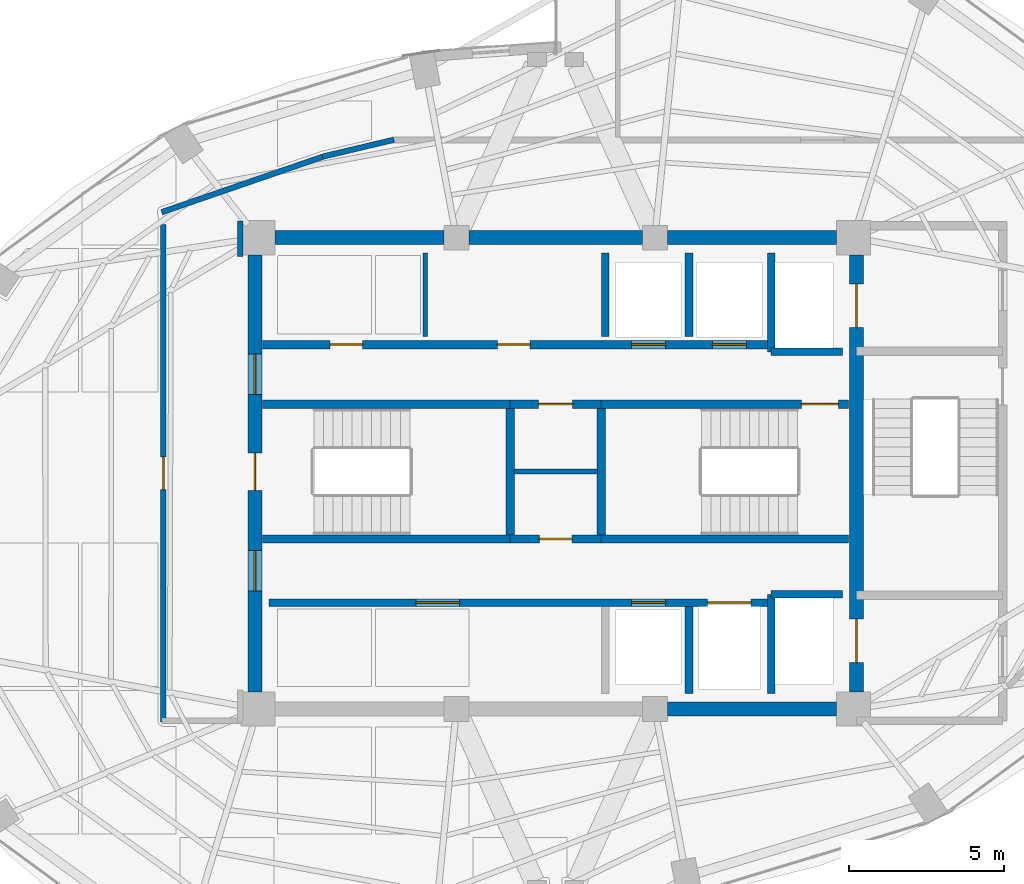
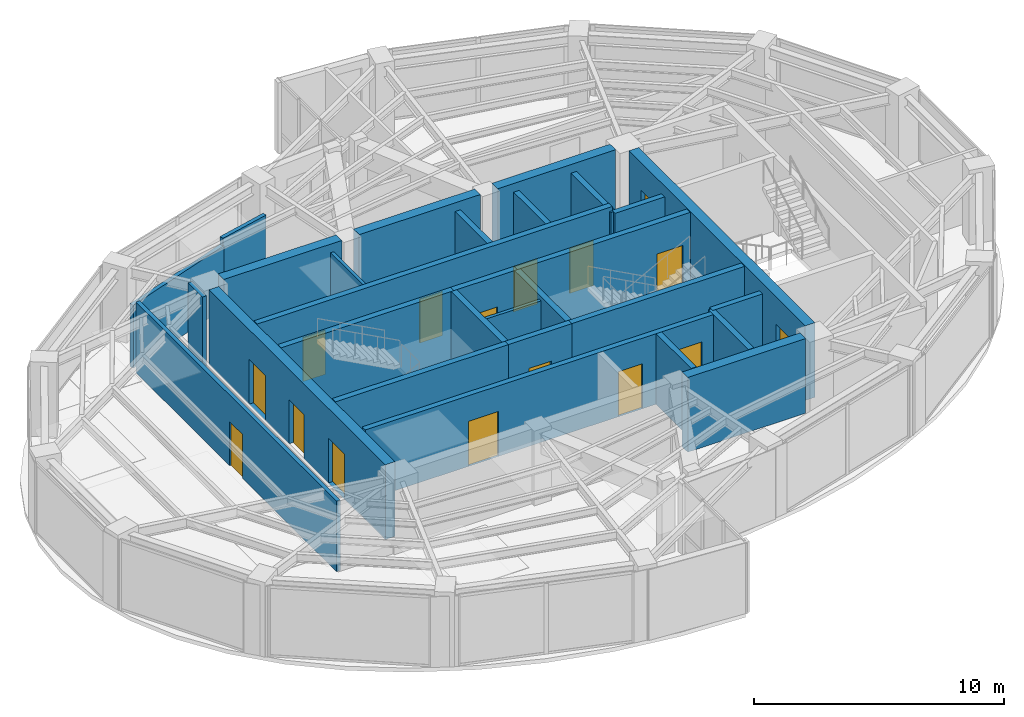
# One storey, part 19 of 22: 29 walls, 16 doors, 16 openings.
"""IFC4 building model written with IfcOpenShell, lengths in metres."""

from ifc_helpers import new_model, si_unit, direction, frame, frame_2d, origin, place, context, subcontext, project, spatial, rectangle, extrude, material, layer, layer_set, type_object, element, fill, save


model = new_model("IFC4")

# Units and contexts
model_context = context("Model", 3, precision=1e-05, world=origin(), true_north=direction((0.0, 1.0)))
body_context = subcontext(model_context, "Body", "Model", "MODEL_VIEW")
ifc_project = project(units=[si_unit("LENGTHUNIT", "METRE"), si_unit("AREAUNIT", "SQUARE_METRE"), si_unit("VOLUMEUNIT", "CUBIC_METRE"), si_unit("PLANEANGLEUNIT", "RADIAN"), si_unit("MASSUNIT", "GRAM", prefix="KILO")], contexts=[model_context])

# Site, building, storey
site_placement = place(None, origin())
site = spatial("IfcSite", under=ifc_project, at=site_placement, CompositionType="ELEMENT")
building_placement = place(site_placement, origin())
building = spatial("IfcBuilding", under=site, at=building_placement, Name="Lazwardi Medical Tower", CompositionType="ELEMENT")
storey_placement = place(building_placement, frame((0.0, 0.0, 251.3759765625)))
storey = spatial("IfcBuildingStorey", under=building, at=storey_placement, Name="L65", CompositionType="ELEMENT", Elevation=251.3759765625)

# Walls
ifc_material_1 = material(Name="Fire-rated gypsum board on steel stud", Category="steel")
ifc_layer_1 = layer(ifc_material_1, 0.179931640625)
ifc_layer_set_1 = layer_set([ifc_layer_1], Name="Fire-rated gypsum board on steel stud")
wall_type_1 = type_object("IfcWallType", Name="WL-COR-180", PredefinedType="PARTITIONING", material=ifc_layer_set_1)
wall_1_placement = place(storey_placement, frame((23.294189453125, 36.422119140625, 0.0), z_axis=(0.0, 0.0, 1.0), x_axis=(0.945493277461, 0.325641616316, 0.0)))
element("IfcWall", 1, at=wall_1_placement, inside=storey, type_object=wall_type_1, Name="L65 Corridor partition 1", PredefinedType="PARTITIONING", context=body_context, shape_type="SweptSolid", body=[
    extrude(rectangle(XDim=5.5615234375, YDim=0.179931640625, at=frame_2d((2.78076171875, 0.0))), origin(), (0.0, 0.0, 1.0), 3.072998046875),
])
wall_2_placement = place(storey_placement, frame((28.475830078125, 38.2109375, 0.0), z_axis=(0.0, 0.0, 1.0), x_axis=(0.973030562203, 0.230676234189, 0.0)))
element("IfcWall", 2, at=wall_2_placement, inside=storey, type_object=wall_type_1, Name="L65 Corridor partition 2", PredefinedType="PARTITIONING", context=body_context, shape_type="SweptSolid", body=[
    extrude(rectangle(XDim=2.377197265625, YDim=0.179931640625, at=frame_2d((1.1884765625, 0.0))), origin(), (0.0, 0.0, 1.0), 3.447998046875),
])
wall_3_placement = place(storey_placement, frame((25.830078125, 36.139892578125, 0.0), z_axis=(0.0, 0.0, 1.0), x_axis=(0.0, -1.0, 0.0)))
element("IfcWall", 3, at=wall_3_placement, inside=storey, type_object=wall_type_1, Name="L65 Corridor partition 7", PredefinedType="PARTITIONING", context=body_context, shape_type="SweptSolid", body=[
    extrude(rectangle(XDim=1.14990234375, YDim=0.179931640625, at=frame_2d((0.574951171875, 0.0))), origin(), (0.0, 0.0, 1.0), 3.447998046875),
])

# Wall, opening, door
wall_4_placement = place(storey_placement, frame((23.35009765625, 19.97998046875, 0.0), z_axis=(0.0, 0.0, 1.0), x_axis=(0.0, 1.0, 0.0)))
wall_4 = element("IfcWall", 4, at=wall_4_placement, inside=storey, type_object=wall_type_1, Name="L65 Corridor partition 10", PredefinedType="PARTITIONING", context=body_context, shape_type="SweptSolid", body=[
    extrude(rectangle(XDim=16.04248046875, YDim=0.179931640625, at=frame_2d((8.021240234375, 0.0))), origin(), (0.0, 0.0, 1.0), 3.447998046875),
])
opening_1_placement = place(wall_4_placement, frame((7.49609375, 0.0, 0.0)))
opening_1 = element("IfcOpeningElement", 5, at=opening_1_placement, cuts=wall_4, Name="Opening D-L65-010", PredefinedType="OPENING", context=body_context, shape_type="SweptSolid", body=[
    extrude(rectangle(XDim=1.050048828125, YDim=2.14990234375, at=frame_2d((0.52490234375, 1.074951171875))), frame((0.0, 0.099853515625, 0.0), z_axis=(0.0, -1.0, 0.0), x_axis=(1.0, 0.0, 0.0)), (0.0, 0.0, 1.0), 0.199951171875),
])
ifc_material_2 = material(Name="Anti-microbial laminate hospital leaf")
door_type_1 = type_object("IfcDoorType", Name="DR-CLN-1050", OperationType="NOTDEFINED", PredefinedType="DOOR", material=ifc_material_2)
door_1_placement = place(opening_1_placement, origin())
door_1 = element("IfcDoor", 6, at=door_1_placement, inside=storey, type_object=door_type_1, Name="L65 Ward Dietetic Pantry Door 01", OperationType="SINGLE_SWING_LEFT", OverallHeight=2.14990234375, OverallWidth=1.050048828125, PredefinedType="DOOR", context=body_context, shape_type="SweptSolid", body=[
    extrude(rectangle(XDim=1.050048828125, YDim=2.14990234375, at=frame_2d((0.52490234375, 1.074951171875))), frame((0.0, 0.02490234375, 0.0), z_axis=(0.0, -1.0, 0.0), x_axis=(1.0, 0.0, 0.0)), (0.0, 0.0, 1.0), 0.050048828125),
])
fill(opening_1, door_1)

# Wall, openings, doors
ifc_material_3 = material(Name="Concrete C60/75", Category="concrete")
ifc_layer_2 = layer(ifc_material_3, 0.449951171875)
ifc_layer_set_2 = layer_set([ifc_layer_2], Name="Concrete C60/75")
wall_type_2 = type_object("IfcWallType", Name="WL-CORE-450", PredefinedType="SHEAR", material=ifc_layer_set_2)
wall_5_placement = place(storey_placement, frame((26.300048828125, 20.949951171875, 0.0), z_axis=(0.0, 0.0, 1.0), x_axis=(0.0, 1.0, 0.0)))
wall_5 = element("IfcWall", 7, at=wall_5_placement, inside=storey, type_object=wall_type_2, Name="Core wall CW-S4 west L65", PredefinedType="SHEAR", context=body_context, shape_type="SweptSolid", body=[
    extrude(rectangle(XDim=14.10009765625, YDim=0.449951171875, at=frame_2d((7.050048828125, 0.0))), origin(), (0.0, 0.0, 1.0), 3.64794921875),
])
opening_2_placement = place(wall_5_placement, frame((6.5, 0.0, 0.0)))
opening_2 = element("IfcOpeningElement", 8, at=opening_2_placement, cuts=wall_5, Name="Opening D-L65-012", PredefinedType="OPENING", context=body_context, shape_type="SweptSolid", body=[
    extrude(rectangle(XDim=1.199951171875, YDim=2.14990234375, at=frame_2d((0.60009765625, 1.074951171875))), frame((0.0, 0.23486328125, 0.0), z_axis=(0.0, -1.0, 0.0), x_axis=(1.0, 0.0, 0.0)), (0.0, 0.0, 1.0), 0.469970703125),
])
opening_3_placement = place(wall_5_placement, frame((9.60009765625, 0.0, 0.0)))
opening_3 = element("IfcOpeningElement", 9, at=opening_3_placement, cuts=wall_5, Name="Opening D-L65-008", PredefinedType="OPENING", context=body_context, shape_type="SweptSolid", body=[
    extrude(rectangle(XDim=1.300048828125, YDim=2.199951171875, at=frame_2d((0.64990234375, 1.10009765625))), frame((0.0, 0.23486328125, 0.0), z_axis=(0.0, -1.0, 0.0), x_axis=(1.0, 0.0, 0.0)), (0.0, 0.0, 1.0), 0.469970703125),
])
opening_4_placement = place(wall_5_placement, frame((3.260009765625, 0.0, 0.0)))
opening_4 = element("IfcOpeningElement", 10, at=opening_4_placement, cuts=wall_5, Name="Opening D-L65-009", PredefinedType="OPENING", context=body_context, shape_type="SweptSolid", body=[
    extrude(rectangle(XDim=1.300048828125, YDim=2.199951171875, at=frame_2d((0.64990234375, 1.10009765625))), frame((0.0, 0.23486328125, 0.0), z_axis=(0.0, -1.0, 0.0), x_axis=(1.0, 0.0, 0.0)), (0.0, 0.0, 1.0), 0.469970703125),
])
ifc_material_4 = material(Name="Fire-rated steel leaf and frame", Category="steel")
door_type_2 = type_object("IfcDoorType", Name="DR-FFL-1300", OperationType="NOTDEFINED", PredefinedType="DOOR", material=ifc_material_4)
door_2_placement = place(opening_3_placement, origin())
door_2 = element("IfcDoor", 11, at=door_2_placement, inside=storey, type_object=door_type_2, Name="L65 North Lift Lobby Door", OperationType="SINGLE_SWING_LEFT", OverallHeight=2.199951171875, OverallWidth=1.300048828125, PredefinedType="DOOR", context=body_context, shape_type="SweptSolid", body=[
    extrude(rectangle(XDim=1.300048828125, YDim=2.199951171875, at=frame_2d((0.64990234375, 1.10009765625))), frame((0.0, 0.02490234375, 0.0), z_axis=(0.0, -1.0, 0.0), x_axis=(1.0, 0.0, 0.0)), (0.0, 0.0, 1.0), 0.050048828125),
])
fill(opening_3, door_2)
door_3_placement = place(opening_4_placement, origin())
door_3 = element("IfcDoor", 12, at=door_3_placement, inside=storey, type_object=door_type_2, Name="L65 South Lift Lobby Door", OperationType="SINGLE_SWING_RIGHT", OverallHeight=2.199951171875, OverallWidth=1.300048828125, PredefinedType="DOOR", context=body_context, shape_type="SweptSolid", body=[
    extrude(rectangle(XDim=1.300048828125, YDim=2.199951171875, at=frame_2d((0.64990234375, 1.10009765625))), frame((0.0, 0.02490234375, 0.0), z_axis=(0.0, -1.0, 0.0), x_axis=(1.0, 0.0, 0.0)), (0.0, 0.0, 1.0), 0.050048828125),
])
fill(opening_4, door_3)
door_type_3 = type_object("IfcDoorType", Name="DR-STR-1200", OperationType="NOTDEFINED", PredefinedType="DOOR", material=ifc_material_4)
door_4_placement = place(opening_2_placement, origin())
door_4 = element("IfcDoor", 13, at=door_4_placement, inside=storey, type_object=door_type_3, Name="L65 Exit Stair ST1 Door", OperationType="SINGLE_SWING_LEFT", OverallHeight=2.14990234375, OverallWidth=1.199951171875, PredefinedType="DOOR", context=body_context, shape_type="SweptSolid", body=[
    extrude(rectangle(XDim=1.199951171875, YDim=2.14990234375, at=frame_2d((0.60009765625, 1.074951171875))), frame((0.0, 0.02490234375, 0.0), z_axis=(0.0, -1.0, 0.0), x_axis=(1.0, 0.0, 0.0)), (0.0, 0.0, 1.0), 0.050048828125),
])
fill(opening_2, door_4)

wall_6_placement = place(storey_placement, frame((45.699951171875, 20.949951171875, 0.0), z_axis=(0.0, 0.0, 1.0), x_axis=(0.0, 1.0, 0.0)))
wall_6 = element("IfcWall", 14, at=wall_6_placement, inside=storey, type_object=wall_type_2, Name="Core wall CW-S4 east L65", PredefinedType="SHEAR", context=body_context, shape_type="SweptSolid", body=[
    extrude(rectangle(XDim=14.10009765625, YDim=0.449951171875, at=frame_2d((7.050048828125, 0.0))), origin(), (0.0, 0.0, 1.0), 3.64794921875),
])
opening_5_placement = place(wall_6_placement, frame((11.75, 0.0, 0.0)))
opening_5 = element("IfcOpeningElement", 15, at=opening_5_placement, cuts=wall_6, Name="Opening LD-L65-001", PredefinedType="OPENING", context=body_context, shape_type="SweptSolid", body=[
    extrude(rectangle(XDim=1.39990234375, YDim=2.300048828125, at=frame_2d((0.699951171875, 1.14990234375))), frame((0.0, 0.23486328125, 0.0), z_axis=(0.0, -1.0, 0.0), x_axis=(1.0, 0.0, 0.0)), (0.0, 0.0, 1.0), 0.469970703125),
])
opening_6_placement = place(wall_6_placement, frame((0.949951171875, 0.0, 0.0)))
opening_6 = element("IfcOpeningElement", 16, at=opening_6_placement, cuts=wall_6, Name="Opening LD-L65-002", PredefinedType="OPENING", context=body_context, shape_type="SweptSolid", body=[
    extrude(rectangle(XDim=1.39990234375, YDim=2.300048828125, at=frame_2d((0.699951171875, 1.14990234375))), frame((0.0, 0.23486328125, 0.0), z_axis=(0.0, -1.0, 0.0), x_axis=(1.0, 0.0, 0.0)), (0.0, 0.0, 1.0), 0.469970703125),
])
ifc_material_5 = material(Name="Brushed stainless steel bed-lift landing door", Category="steel")
door_type_4 = type_object("IfcDoorType", Name="DR-LFT-1400", OperationType="NOTDEFINED", PredefinedType="DOOR", material=ifc_material_5)
door_5_placement = place(opening_5_placement, origin())
door_5 = element("IfcDoor", 17, at=door_5_placement, inside=storey, type_object=door_type_4, Name="L65 Lift Landing Door FL-01", OperationType="SLIDING_TO_LEFT", OverallHeight=2.300048828125, OverallWidth=1.39990234375, PredefinedType="DOOR", context=body_context, shape_type="SweptSolid", body=[
    extrude(rectangle(XDim=1.39990234375, YDim=2.300048828125, at=frame_2d((0.699951171875, 1.14990234375))), frame((0.0, 0.02490234375, 0.0), z_axis=(0.0, -1.0, 0.0), x_axis=(1.0, 0.0, 0.0)), (0.0, 0.0, 1.0), 0.050048828125),
])
fill(opening_5, door_5)
door_6_placement = place(opening_6_placement, origin())
door_6 = element("IfcDoor", 18, at=door_6_placement, inside=storey, type_object=door_type_4, Name="L65 Lift Landing Door FL-02", OperationType="SLIDING_TO_LEFT", OverallHeight=2.300048828125, OverallWidth=1.39990234375, PredefinedType="DOOR", context=body_context, shape_type="SweptSolid", body=[
    extrude(rectangle(XDim=1.39990234375, YDim=2.300048828125, at=frame_2d((0.699951171875, 1.14990234375))), frame((0.0, 0.02490234375, 0.0), z_axis=(0.0, -1.0, 0.0), x_axis=(1.0, 0.0, 0.0)), (0.0, 0.0, 1.0), 0.050048828125),
])
fill(opening_6, door_6)

# Walls
wall_7_placement = place(storey_placement, frame((26.949951171875, 35.60009765625, 0.0), z_axis=(0.0, 0.0, 1.0), x_axis=(1.0, 0.0, 0.0)))
element("IfcWall", 19, at=wall_7_placement, inside=storey, type_object=wall_type_2, Name="Core wall CW-S4 N1 L65", PredefinedType="SHEAR", context=body_context, shape_type="SweptSolid", body=[
    extrude(rectangle(XDim=5.449951171875, YDim=0.449951171875, at=frame_2d((2.72509765625, 0.0))), origin(), (0.0, 0.0, 1.0), 3.64794921875),
])
wall_8_placement = place(storey_placement, frame((33.199951171875, 35.60009765625, 0.0), z_axis=(0.0, 0.0, 1.0), x_axis=(1.0, 0.0, 0.0)))
element("IfcWall", 20, at=wall_8_placement, inside=storey, type_object=wall_type_2, Name="Core wall CW-S4 N2 L65", PredefinedType="SHEAR", context=body_context, shape_type="SweptSolid", body=[
    extrude(rectangle(XDim=5.60009765625, YDim=0.449951171875, at=frame_2d((2.800048828125, 0.0))), origin(), (0.0, 0.0, 1.0), 3.64794921875),
])
for number, where, z_axis, x_axis, name in (
    (21, (39.60009765625, 20.39990234375, 0.0), (0.0, 0.0, 1.0), (1.0, 0.0, 0.0), "Core wall CW-S4 S3 L65"),
    (22, (39.60009765625, 35.60009765625, 0.0), (0.0, 0.0, 1.0), (1.0, 0.0, 0.0), "Core wall CW-S4 N3 L65"),
):
    element("IfcWall", number, at=place(storey_placement, frame(where, z_axis=z_axis, x_axis=x_axis)), inside=storey, type_object=wall_type_2, Name=name, PredefinedType="SHEAR", context=body_context, shape_type="SweptSolid", body=[
        extrude(rectangle(XDim=5.449951171875, YDim=0.449951171875, at=frame_2d((2.72509765625, 0.0))), origin(), (0.0, 0.0, 1.0), 3.64794921875),
    ])

# Wall, openings, doors
ifc_material_6 = material(Name="Autoclaved aerated concrete blockwork", Category="masonry")
ifc_layer_3 = layer(ifc_material_6, 0.25)
ifc_layer_set_3 = layer_set([ifc_layer_3], Name="Autoclaved aerated concrete blockwork")
wall_type_3 = type_object("IfcWallType", Name="WL-SHAFT-250", PredefinedType="SOLIDWALL", material=ifc_layer_set_3)
wall_9_placement = place(storey_placement, frame((26.75, 23.830078125, 0.0), z_axis=(0.0, 0.0, 1.0), x_axis=(1.0, 0.0, 0.0)))
wall_9 = element("IfcWall", 23, at=wall_9_placement, inside=storey, type_object=wall_type_3, Name="L65 South lift bank front wall", PredefinedType="SOLIDWALL", context=body_context, shape_type="SweptSolid", body=[
    extrude(rectangle(XDim=16.199951171875, YDim=0.25, at=frame_2d((8.10009765625, 0.0))), origin(), (0.0, 0.0, 1.0), 3.447998046875),
])
opening_7_placement = place(wall_9_placement, frame((4.75, 0.0, 0.0)))
opening_7 = element("IfcOpeningElement", 24, at=opening_7_placement, cuts=wall_9, Name="Opening D-L65-005", PredefinedType="OPENING", context=body_context, shape_type="SweptSolid", body=[
    extrude(rectangle(XDim=1.39990234375, YDim=2.199951171875, at=frame_2d((0.699951171875, 1.10009765625))), frame((0.0, 0.135009765625, 0.0), z_axis=(0.0, -1.0, 0.0), x_axis=(1.0, 0.0, 0.0)), (0.0, 0.0, 1.0), 0.27001953125),
])
opening_8_placement = place(wall_9_placement, frame((11.699951171875, 0.0, 0.0)))
opening_8 = element("IfcOpeningElement", 25, at=opening_8_placement, cuts=wall_9, Name="Opening LD-L65-006", PredefinedType="OPENING", context=body_context, shape_type="SweptSolid", body=[
    extrude(rectangle(XDim=1.10009765625, YDim=2.199951171875, at=frame_2d((0.550048828125, 1.10009765625))), frame((0.0, 0.135009765625, 0.0), z_axis=(0.0, -1.0, 0.0), x_axis=(1.0, 0.0, 0.0)), (0.0, 0.0, 1.0), 0.27001953125),
])
opening_9_placement = place(wall_9_placement, frame((14.14990234375, 0.0, 0.0)))
opening_9 = element("IfcOpeningElement", 26, at=opening_9_placement, cuts=wall_9, Name="Opening LD-L65-003", PredefinedType="OPENING", context=body_context, shape_type="SweptSolid", body=[
    extrude(rectangle(XDim=1.39990234375, YDim=2.300048828125, at=frame_2d((0.699951171875, 1.14990234375))), frame((0.0, 0.135009765625, 0.0), z_axis=(0.0, -1.0, 0.0), x_axis=(1.0, 0.0, 0.0)), (0.0, 0.0, 1.0), 0.27001953125),
])
door_type_5 = type_object("IfcDoorType", Name="DR-BED-1400", OperationType="NOTDEFINED", PredefinedType="DOOR", material=ifc_material_2)
door_7_placement = place(opening_7_placement, origin())
door_7 = element("IfcDoor", 27, at=door_7_placement, inside=storey, type_object=door_type_5, Name="L65 Core Dialysis Door", OperationType="SINGLE_SWING_LEFT", OverallHeight=2.199951171875, OverallWidth=1.39990234375, PredefinedType="DOOR", context=body_context, shape_type="SweptSolid", body=[
    extrude(rectangle(XDim=1.39990234375, YDim=2.199951171875, at=frame_2d((0.699951171875, 1.10009765625))), frame((0.0, 0.02490234375, 0.0), z_axis=(0.0, -1.0, 0.0), x_axis=(1.0, 0.0, 0.0)), (0.0, 0.0, 1.0), 0.050048828125),
])
fill(opening_7, door_7)
ifc_material_7 = material(Name="Brushed bronze stainless steel landing door", Category="steel")
door_type_6 = type_object("IfcDoorType", Name="DR-LFT-1100", OperationType="NOTDEFINED", PredefinedType="DOOR", material=ifc_material_7)
door_8_placement = place(opening_8_placement, origin())
door_8 = element("IfcDoor", 28, at=door_8_placement, inside=storey, type_object=door_type_6, Name="L65 Lift Landing Door PL-11", OperationType="SLIDING_TO_LEFT", OverallHeight=2.199951171875, OverallWidth=1.10009765625, PredefinedType="DOOR", context=body_context, shape_type="SweptSolid", body=[
    extrude(rectangle(XDim=1.10009765625, YDim=2.199951171875, at=frame_2d((0.550048828125, 1.10009765625))), frame((0.0, 0.02490234375, 0.0), z_axis=(0.0, -1.0, 0.0), x_axis=(1.0, 0.0, 0.0)), (0.0, 0.0, 1.0), 0.050048828125),
])
fill(opening_8, door_8)
door_9_placement = place(opening_9_placement, origin())
door_9 = element("IfcDoor", 29, at=door_9_placement, inside=storey, type_object=door_type_4, Name="L65 Lift Landing Door FL-03", OperationType="SLIDING_TO_LEFT", OverallHeight=2.300048828125, OverallWidth=1.39990234375, PredefinedType="DOOR", context=body_context, shape_type="SweptSolid", body=[
    extrude(rectangle(XDim=1.39990234375, YDim=2.300048828125, at=frame_2d((0.699951171875, 1.14990234375))), frame((0.0, 0.02490234375, 0.0), z_axis=(0.0, -1.0, 0.0), x_axis=(1.0, 0.0, 0.0)), (0.0, 0.0, 1.0), 0.050048828125),
])
fill(opening_9, door_9)

# Walls
wall_10_placement = place(storey_placement, frame((42.949951171875, 31.919921875, 0.0), z_axis=(0.0, 0.0, 1.0), x_axis=(0.0, 1.0, 0.0)))
element("IfcWall", 30, at=wall_10_placement, inside=storey, type_object=wall_type_3, Name="L65 FL-01 West shaft wall", PredefinedType="SOLIDWALL", context=body_context, shape_type="SweptSolid", body=[
    extrude(rectangle(XDim=3.18017578125, YDim=0.25, at=frame_2d((1.590087890625, 0.0))), origin(), (0.0, 0.0, 1.0), 3.447998046875),
])
wall_11_placement = place(storey_placement, frame((42.949951171875, 31.919921875, 0.0), z_axis=(0.0, 0.0, 1.0), x_axis=(1.0, 0.0, 0.0)))
element("IfcWall", 31, at=wall_11_placement, inside=storey, type_object=wall_type_3, Name="L65 FL-01 South shaft wall", PredefinedType="SOLIDWALL", context=body_context, shape_type="SweptSolid", body=[
    extrude(rectangle(XDim=2.300048828125, YDim=0.25, at=frame_2d((1.14990234375, 0.0))), origin(), (0.0, 0.0, 1.0), 3.447998046875),
])
wall_12_placement = place(storey_placement, frame((42.949951171875, 20.89990234375, 0.0), z_axis=(0.0, 0.0, 1.0), x_axis=(0.0, 1.0, 0.0)))
element("IfcWall", 32, at=wall_12_placement, inside=storey, type_object=wall_type_3, Name="L65 FL-02 West shaft wall", PredefinedType="SOLIDWALL", context=body_context, shape_type="SweptSolid", body=[
    extrude(rectangle(XDim=3.2001953125, YDim=0.25, at=frame_2d((1.60009765625, 0.0))), origin(), (0.0, 0.0, 1.0), 3.447998046875),
])
wall_13_placement = place(storey_placement, frame((42.949951171875, 24.10009765625, 0.0), z_axis=(0.0, 0.0, 1.0), x_axis=(1.0, 0.0, 0.0)))
element("IfcWall", 33, at=wall_13_placement, inside=storey, type_object=wall_type_3, Name="L65 FL-02 North shaft wall", PredefinedType="SOLIDWALL", context=body_context, shape_type="SweptSolid", body=[
    extrude(rectangle(XDim=2.300048828125, YDim=0.25, at=frame_2d((1.14990234375, 0.0))), origin(), (0.0, 0.0, 1.0), 3.447998046875),
])
for number, where, z_axis, x_axis, name in (
    (34, (37.60009765625, 32.419921875, 0.0), (0.0, 0.0, 1.0), (0.0, 1.0, 0.0), "L65 North hoistway divider"),
    (35, (40.300048828125, 32.419921875, 0.0), (0.0, 0.0, 1.0), (0.0, 1.0, 0.0), "L65 North hoistway divider"),
):
    element("IfcWall", number, at=place(storey_placement, frame(where, z_axis=z_axis, x_axis=x_axis)), inside=storey, type_object=wall_type_3, Name=name, PredefinedType="SOLIDWALL", context=body_context, shape_type="SweptSolid", body=[
        extrude(rectangle(XDim=2.68017578125, YDim=0.25, at=frame_2d((1.340087890625, 0.0))), origin(), (0.0, 0.0, 1.0), 3.447998046875),
    ])
wall_14_placement = place(storey_placement, frame((40.300048828125, 20.89990234375, 0.0), z_axis=(0.0, 0.0, 1.0), x_axis=(0.0, 1.0, 0.0)))
element("IfcWall", 36, at=wall_14_placement, inside=storey, type_object=wall_type_3, Name="L65 South hoistway divider", PredefinedType="SOLIDWALL", context=body_context, shape_type="SweptSolid", body=[
    extrude(rectangle(XDim=2.800048828125, YDim=0.25, at=frame_2d((1.39990234375, 0.0))), origin(), (0.0, 0.0, 1.0), 3.447998046875),
])
ifc_material_8 = material(Name="Concrete C50/60", Category="concrete")
ifc_layer_4 = layer(ifc_material_8, 0.27001953125)
ifc_layer_set_4 = layer_set([ifc_layer_4], Name="Concrete C50/60")
wall_type_4 = type_object("IfcWallType", Name="WL-STR-250", PredefinedType="SHEAR", material=ifc_layer_set_4)
wall_15_placement = place(storey_placement, frame((26.550048828125, 30.235107421875, 0.0), z_axis=(0.0, 0.0, 1.0), x_axis=(1.0, 0.0, 0.0)))
element("IfcWall", 37, at=wall_15_placement, inside=storey, type_object=wall_type_4, Name="L65 ST1 North shear shaft wall SW-S1", PredefinedType="SHEAR", context=body_context, shape_type="SweptSolid", body=[
    extrude(rectangle(XDim=7.98486328125, YDim=0.27001953125, at=frame_2d((3.992431640625, 0.0))), origin(), (0.0, 0.0, 1.0), 3.64794921875),
])

# Wall, opening, door
wall_16_placement = place(storey_placement, frame((34.534912109375, 30.235107421875, 0.0), z_axis=(0.0, 0.0, 1.0), x_axis=(1.0, 0.0, 0.0)))
wall_16 = element("IfcWall", 38, at=wall_16_placement, inside=storey, type_object=wall_type_4, Name="L65 Core service North shear wall SW-S1", PredefinedType="SHEAR", context=body_context, shape_type="SweptSolid", body=[
    extrude(rectangle(XDim=2.93017578125, YDim=0.27001953125, at=frame_2d((1.465087890625, 0.0))), origin(), (0.0, 0.0, 1.0), 3.64794921875),
])
opening_10_placement = place(wall_16_placement, frame((0.9150390625, 0.0, 0.0)))
opening_10 = element("IfcOpeningElement", 39, at=opening_10_placement, cuts=wall_16, Name="Opening D-L65-002", PredefinedType="OPENING", context=body_context, shape_type="SweptSolid", body=[
    extrude(rectangle(XDim=1.10009765625, YDim=2.14990234375, at=frame_2d((0.550048828125, 1.074951171875))), frame((0.0, 0.14501953125, 0.0), z_axis=(0.0, -1.0, 0.0), x_axis=(1.0, 0.0, 0.0)), (0.0, 0.0, 1.0), 0.2900390625),
])
door_type_7 = type_object("IfcDoorType", Name="DR-PLT-1100", OperationType="NOTDEFINED", PredefinedType="DOOR", material=ifc_material_4)
door_10_placement = place(opening_10_placement, origin())
door_10 = element("IfcDoor", 40, at=door_10_placement, inside=storey, type_object=door_type_7, Name="L65 Electrical Room Door", OperationType="SINGLE_SWING_RIGHT", OverallHeight=2.14990234375, OverallWidth=1.10009765625, PredefinedType="DOOR", context=body_context, shape_type="SweptSolid", body=[
    extrude(rectangle(XDim=1.10009765625, YDim=2.14990234375, at=frame_2d((0.550048828125, 1.074951171875))), frame((0.0, 0.02490234375, 0.0), z_axis=(0.0, -1.0, 0.0), x_axis=(1.0, 0.0, 0.0)), (0.0, 0.0, 1.0), 0.050048828125),
])
fill(opening_10, door_10)

wall_17_placement = place(storey_placement, frame((37.465087890625, 30.235107421875, 0.0), z_axis=(0.0, 0.0, 1.0), x_axis=(1.0, 0.0, 0.0)))
wall_17 = element("IfcWall", 41, at=wall_17_placement, inside=storey, type_object=wall_type_4, Name="L65 ST2 North shear shaft wall SW-S1", PredefinedType="SHEAR", context=body_context, shape_type="SweptSolid", body=[
    extrude(rectangle(XDim=7.98486328125, YDim=0.27001953125, at=frame_2d((3.992431640625, 0.0))), origin(), (0.0, 0.0, 1.0), 3.64794921875),
])
opening_11_placement = place(wall_17_placement, frame((6.455078125, 0.0, 0.0)))
opening_11 = element("IfcOpeningElement", 42, at=opening_11_placement, cuts=wall_17, Name="Opening D-L65-013", PredefinedType="OPENING", context=body_context, shape_type="SweptSolid", body=[
    extrude(rectangle(XDim=1.199951171875, YDim=2.14990234375, at=frame_2d((0.60009765625, 1.074951171875))), frame((0.0, 0.14501953125, 0.0), z_axis=(0.0, -1.0, 0.0), x_axis=(1.0, 0.0, 0.0)), (0.0, 0.0, 1.0), 0.2900390625),
])
door_11_placement = place(opening_11_placement, origin())
door_11 = element("IfcDoor", 43, at=door_11_placement, inside=storey, type_object=door_type_3, Name="L65 Exit Stair ST2 Door", OperationType="SINGLE_SWING_RIGHT", OverallHeight=2.14990234375, OverallWidth=1.199951171875, PredefinedType="DOOR", context=body_context, shape_type="SweptSolid", body=[
    extrude(rectangle(XDim=1.199951171875, YDim=2.14990234375, at=frame_2d((0.60009765625, 1.074951171875))), frame((0.0, 0.02490234375, 0.0), z_axis=(0.0, -1.0, 0.0), x_axis=(1.0, 0.0, 0.0)), (0.0, 0.0, 1.0), 0.050048828125),
])
fill(opening_11, door_11)

# Wall
wall_18_placement = place(storey_placement, frame((26.550048828125, 25.885009765625, 0.0), z_axis=(0.0, 0.0, 1.0), x_axis=(1.0, 0.0, 0.0)))
element("IfcWall", 44, at=wall_18_placement, inside=storey, type_object=wall_type_4, Name="L65 ST1 South shear shaft wall SW-S1", PredefinedType="SHEAR", context=body_context, shape_type="SweptSolid", body=[
    extrude(rectangle(XDim=7.98486328125, YDim=0.27001953125, at=frame_2d((3.992431640625, 0.0))), origin(), (0.0, 0.0, 1.0), 3.64794921875),
])

# Wall, opening, door
wall_19_placement = place(storey_placement, frame((34.534912109375, 25.885009765625, 0.0), z_axis=(0.0, 0.0, 1.0), x_axis=(1.0, 0.0, 0.0)))
wall_19 = element("IfcWall", 45, at=wall_19_placement, inside=storey, type_object=wall_type_4, Name="L65 Core service South shear wall SW-S1", PredefinedType="SHEAR", context=body_context, shape_type="SweptSolid", body=[
    extrude(rectangle(XDim=2.93017578125, YDim=0.27001953125, at=frame_2d((1.465087890625, 0.0))), origin(), (0.0, 0.0, 1.0), 3.64794921875),
])
opening_12_placement = place(wall_19_placement, frame((0.93994140625, 0.0, 0.0)))
opening_12 = element("IfcOpeningElement", 46, at=opening_12_placement, cuts=wall_19, Name="Opening D-L65-001", PredefinedType="OPENING", context=body_context, shape_type="SweptSolid", body=[
    extrude(rectangle(XDim=1.050048828125, YDim=2.14990234375, at=frame_2d((0.52490234375, 1.074951171875))), frame((0.0, 0.14501953125, 0.0), z_axis=(0.0, -1.0, 0.0), x_axis=(1.0, 0.0, 0.0)), (0.0, 0.0, 1.0), 0.2900390625),
])
door_12_placement = place(opening_12_placement, origin())
door_12 = element("IfcDoor", 47, at=door_12_placement, inside=storey, type_object=door_type_1, Name="L65 Dirty Sluice Door", OperationType="SINGLE_SWING_LEFT", OverallHeight=2.14990234375, OverallWidth=1.050048828125, PredefinedType="DOOR", context=body_context, shape_type="SweptSolid", body=[
    extrude(rectangle(XDim=1.050048828125, YDim=2.14990234375, at=frame_2d((0.52490234375, 1.074951171875))), frame((0.0, 0.02490234375, 0.0), z_axis=(0.0, -1.0, 0.0), x_axis=(1.0, 0.0, 0.0)), (0.0, 0.0, 1.0), 0.050048828125),
])
fill(opening_12, door_12)

# Walls
wall_20_placement = place(storey_placement, frame((37.465087890625, 25.885009765625, 0.0), z_axis=(0.0, 0.0, 1.0), x_axis=(1.0, 0.0, 0.0)))
element("IfcWall", 48, at=wall_20_placement, inside=storey, type_object=wall_type_4, Name="L65 ST2 South shear shaft wall SW-S1", PredefinedType="SHEAR", context=body_context, shape_type="SweptSolid", body=[
    extrude(rectangle(XDim=7.98486328125, YDim=0.27001953125, at=frame_2d((3.992431640625, 0.0))), origin(), (0.0, 0.0, 1.0), 3.64794921875),
])
for number, where, z_axis, x_axis, name in (
    (49, (34.534912109375, 26.02001953125, 0.0), (0.0, 0.0, 1.0), (0.0, 1.0, 0.0), "L65 ST1 East shear shaft wall SW-S1"),
    (50, (37.465087890625, 26.02001953125, 0.0), (0.0, 0.0, 1.0), (0.0, 1.0, 0.0), "L65 ST2 West shear shaft wall SW-S1"),
):
    element("IfcWall", number, at=place(storey_placement, frame(where, z_axis=z_axis, x_axis=x_axis)), inside=storey, type_object=wall_type_4, Name=name, PredefinedType="SHEAR", context=body_context, shape_type="SweptSolid", body=[
        extrude(rectangle(XDim=4.080078125, YDim=0.27001953125, at=frame_2d((2.0400390625, 0.0))), origin(), (0.0, 0.0, 1.0), 3.64794921875),
    ])

# Wall, openings, doors
wall_21_placement = place(storey_placement, frame((26.550048828125, 32.14990234375, 0.0), z_axis=(0.0, 0.0, 1.0), x_axis=(1.0, 0.0, 0.0)))
wall_21 = element("IfcWall", 51, at=wall_21_placement, inside=storey, type_object=wall_type_4, Name="L65 North lift bank shear wall SW-S1", PredefinedType="SHEAR", context=body_context, shape_type="SweptSolid", body=[
    extrude(rectangle(XDim=16.39990234375, YDim=0.27001953125, at=frame_2d((8.199951171875, 0.0))), origin(), (0.0, 0.0, 1.0), 3.64794921875),
])
opening_13_placement = place(wall_21_placement, frame((2.175048828125, 0.0, 0.0)))
opening_13 = element("IfcOpeningElement", 52, at=opening_13_placement, cuts=wall_21, Name="Opening D-L65-003", PredefinedType="OPENING", context=body_context, shape_type="SweptSolid", body=[
    extrude(rectangle(XDim=1.050048828125, YDim=2.14990234375, at=frame_2d((0.52490234375, 1.074951171875))), frame((0.0, 0.14501953125, 0.0), z_axis=(0.0, -1.0, 0.0), x_axis=(1.0, 0.0, 0.0)), (0.0, 0.0, 1.0), 0.2900390625),
])
opening_14_placement = place(wall_21_placement, frame((7.574951171875, 0.0, 0.0)))
opening_14 = element("IfcOpeningElement", 53, at=opening_14_placement, cuts=wall_21, Name="Opening D-L65-004", PredefinedType="OPENING", context=body_context, shape_type="SweptSolid", body=[
    extrude(rectangle(XDim=1.050048828125, YDim=2.14990234375, at=frame_2d((0.52490234375, 1.074951171875))), frame((0.0, 0.14501953125, 0.0), z_axis=(0.0, -1.0, 0.0), x_axis=(1.0, 0.0, 0.0)), (0.0, 0.0, 1.0), 0.2900390625),
])
opening_15_placement = place(wall_21_placement, frame((11.89990234375, 0.0, 0.0)))
opening_15 = element("IfcOpeningElement", 54, at=opening_15_placement, cuts=wall_21, Name="Opening LD-L65-004", PredefinedType="OPENING", context=body_context, shape_type="SweptSolid", body=[
    extrude(rectangle(XDim=1.10009765625, YDim=2.199951171875, at=frame_2d((0.550048828125, 1.10009765625))), frame((0.0, 0.14501953125, 0.0), z_axis=(0.0, -1.0, 0.0), x_axis=(1.0, 0.0, 0.0)), (0.0, 0.0, 1.0), 0.2900390625),
])
opening_16_placement = place(wall_21_placement, frame((14.5, 0.0, 0.0)))
opening_16 = element("IfcOpeningElement", 55, at=opening_16_placement, cuts=wall_21, Name="Opening LD-L65-005", PredefinedType="OPENING", context=body_context, shape_type="SweptSolid", body=[
    extrude(rectangle(XDim=1.10009765625, YDim=2.199951171875, at=frame_2d((0.550048828125, 1.10009765625))), frame((0.0, 0.14501953125, 0.0), z_axis=(0.0, -1.0, 0.0), x_axis=(1.0, 0.0, 0.0)), (0.0, 0.0, 1.0), 0.2900390625),
])
door_13_placement = place(opening_13_placement, origin())
door_13 = element("IfcDoor", 56, at=door_13_placement, inside=storey, type_object=door_type_1, Name="L65 Core Consult Door", OperationType="SINGLE_SWING_LEFT", OverallHeight=2.14990234375, OverallWidth=1.050048828125, PredefinedType="DOOR", context=body_context, shape_type="SweptSolid", body=[
    extrude(rectangle(XDim=1.050048828125, YDim=2.14990234375, at=frame_2d((0.52490234375, 1.074951171875))), frame((0.0, 0.02490234375, 0.0), z_axis=(0.0, -1.0, 0.0), x_axis=(1.0, 0.0, 0.0)), (0.0, 0.0, 1.0), 0.050048828125),
])
fill(opening_13, door_13)
door_14_placement = place(opening_14_placement, origin())
door_14 = element("IfcDoor", 57, at=door_14_placement, inside=storey, type_object=door_type_1, Name="L65 Core Pharmacy Door", OperationType="SINGLE_SWING_RIGHT", OverallHeight=2.14990234375, OverallWidth=1.050048828125, PredefinedType="DOOR", context=body_context, shape_type="SweptSolid", body=[
    extrude(rectangle(XDim=1.050048828125, YDim=2.14990234375, at=frame_2d((0.52490234375, 1.074951171875))), frame((0.0, 0.02490234375, 0.0), z_axis=(0.0, -1.0, 0.0), x_axis=(1.0, 0.0, 0.0)), (0.0, 0.0, 1.0), 0.050048828125),
])
fill(opening_14, door_14)
door_15_placement = place(opening_15_placement, origin())
door_15 = element("IfcDoor", 58, at=door_15_placement, inside=storey, type_object=door_type_6, Name="L65 Lift Landing Door PL-09", OperationType="SLIDING_TO_LEFT", OverallHeight=2.199951171875, OverallWidth=1.10009765625, PredefinedType="DOOR", context=body_context, shape_type="SweptSolid", body=[
    extrude(rectangle(XDim=1.10009765625, YDim=2.199951171875, at=frame_2d((0.550048828125, 1.10009765625))), frame((0.0, 0.02490234375, 0.0), z_axis=(0.0, -1.0, 0.0), x_axis=(1.0, 0.0, 0.0)), (0.0, 0.0, 1.0), 0.050048828125),
])
fill(opening_15, door_15)
door_16_placement = place(opening_16_placement, origin())
door_16 = element("IfcDoor", 59, at=door_16_placement, inside=storey, type_object=door_type_6, Name="L65 Lift Landing Door PL-10", OperationType="SLIDING_TO_LEFT", OverallHeight=2.199951171875, OverallWidth=1.10009765625, PredefinedType="DOOR", context=body_context, shape_type="SweptSolid", body=[
    extrude(rectangle(XDim=1.10009765625, YDim=2.199951171875, at=frame_2d((0.550048828125, 1.10009765625))), frame((0.0, 0.02490234375, 0.0), z_axis=(0.0, -1.0, 0.0), x_axis=(1.0, 0.0, 0.0)), (0.0, 0.0, 1.0), 0.050048828125),
])
fill(opening_16, door_16)

# Walls
ifc_material_9 = material(Name="Acoustic gypsum board partition")
ifc_layer_5 = layer(ifc_material_9, 0.14990234375)
ifc_layer_set_5 = layer_set([ifc_layer_5], Name="Acoustic gypsum board partition")
wall_type_5 = type_object("IfcWallType", Name="WL-WRD-150", PredefinedType="PARTITIONING", material=ifc_layer_set_5)
wall_22_placement = place(storey_placement, frame((34.64990234375, 28.06005859375, 0.0), z_axis=(0.0, 0.0, 1.0), x_axis=(1.0, 0.0, 0.0)))
element("IfcWall", 60, at=wall_22_placement, inside=storey, type_object=wall_type_5, Name="L65 Core service divider", PredefinedType="PARTITIONING", context=body_context, shape_type="SweptSolid", body=[
    extrude(rectangle(XDim=2.7001953125, YDim=0.14990234375, at=frame_2d((1.35009765625, 0.0))), origin(), (0.0, 0.0, 1.0), 3.447998046875),
])
wall_23_placement = place(storey_placement, frame((31.800048828125, 32.419921875, 0.0), z_axis=(0.0, 0.0, 1.0), x_axis=(0.0, 1.0, 0.0)))
element("IfcWall", 61, at=wall_23_placement, inside=storey, type_object=wall_type_5, Name="L65 Freed bay2 N split", PredefinedType="PARTITIONING", context=body_context, shape_type="SweptSolid", body=[
    extrude(rectangle(XDim=2.68017578125, YDim=0.14990234375, at=frame_2d((1.340087890625, 0.0))), origin(), (0.0, 0.0, 1.0), 3.447998046875),
])

save(model, "model.ifc")
